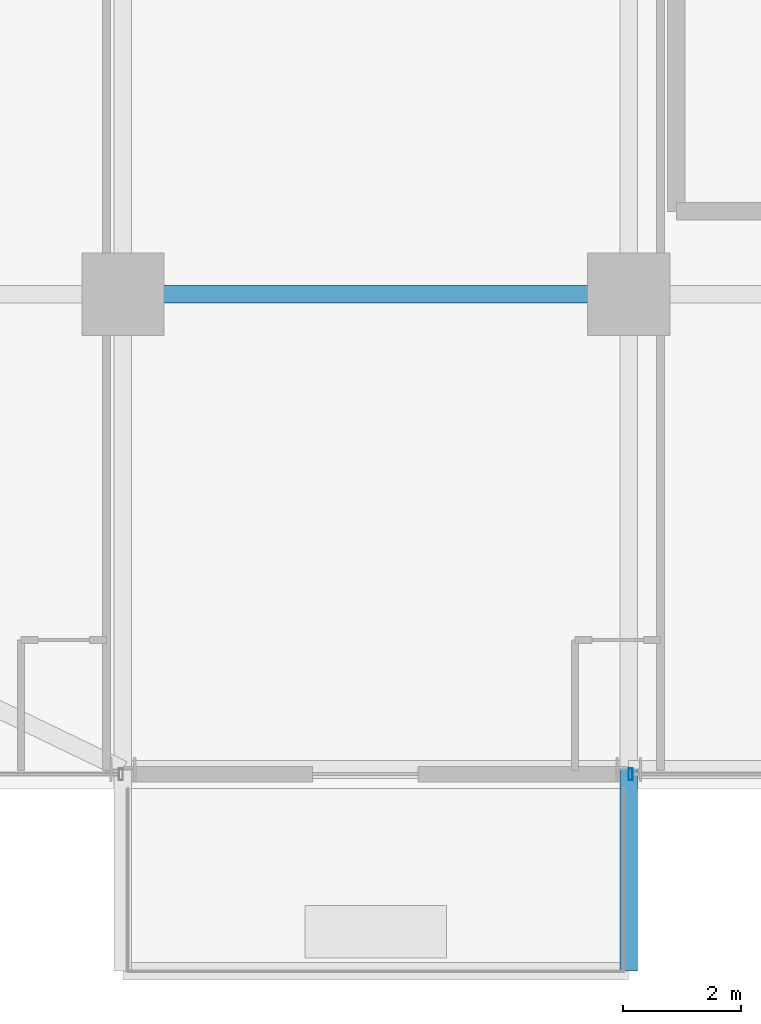
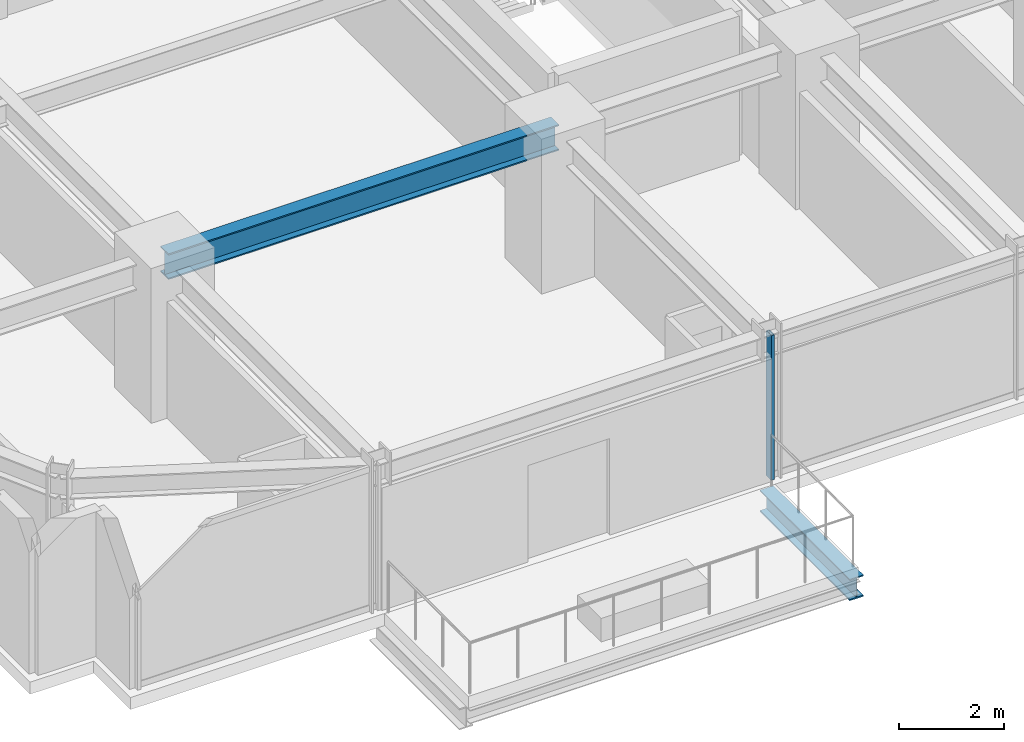
# One storey, part 5 of 35: 2 beams, 1 member, 1 element without a shape of its own.
"""IFC4 building model written with IfcOpenShell, lengths in metres."""

import ifcopenshell
import ifcopenshell.guid

model = None  # the IFC model being written
_history = None  # IfcOwnerHistory: only IFC2X3 demands one
_inside = {}  # id of a spatial element -> (the spatial element, [elements in it])
_under = {}  # id of a project, library or spatial element -> (it, [spatial elements below it])
_declared = {}  # id of a project -> (the project, [libraries it declares])
_typed = {}  # id of a type object -> (the type object, [elements of that type])
_made_of = {}  # id of a material, layer set ... -> (it, [elements and type objects made of it])


def new_model(schema):
    """Start an empty IFC model of exactly this schema.

    Asked for "IFC4X3", IfcOpenShell would pick the latest addendum, in which some entities
    have other attributes; the version numbers below select the first issue.
    IFC2X3 requires an IfcOwnerHistory on every rooted entity: one is made here for all.
    """
    global model, _history
    if schema == "IFC4X3":
        model = ifcopenshell.file(schema_version=(4, 3, 0, 0))
    else:
        model = ifcopenshell.file(schema=schema)
    _inside.clear()
    _under.clear()
    _declared.clear()
    _typed.clear()
    _made_of.clear()
    _history = None
    if model.schema == "IFC2X3":
        org = make("IfcOrganization", Name="unknown")
        user = make(
            "IfcPersonAndOrganization",
            ThePerson=make("IfcPerson", FamilyName="unknown"),
            TheOrganization=org,
        )
        app = make(
            "IfcApplication",
            ApplicationDeveloper=org,
            Version="unknown",
            ApplicationFullName="unknown",
            ApplicationIdentifier="unknown",
        )
        _history = make(
            "IfcOwnerHistory",
            OwningUser=user,
            OwningApplication=app,
            ChangeAction="ADDED",
            CreationDate=0,
        )
    return model


def make(cls, **values):
    """One entity of the class cls with the attributes given. An attribute that is None is left unset."""
    return model.create_entity(
        cls, **{name: value for name, value in values.items() if value is not None}
    )


def rooted(cls, **values):
    """An entity with a GlobalId (a new one), such as an element, a storey or a relation."""
    return make(cls, GlobalId=ifcopenshell.guid.new(), OwnerHistory=_history, **values)


def si_unit(unit_type, name, prefix=None):
    """IfcSIUnit, for example si_unit("LENGTHUNIT", "METRE", prefix="MILLI")."""
    return make("IfcSIUnit", UnitType=unit_type, Prefix=prefix, Name=name)


def assignment(units):
    """IfcUnitAssignment: the units of a project."""
    return None if units is None else make("IfcUnitAssignment", Units=units)


def point(xyz):
    """IfcCartesianPoint."""
    return None if xyz is None else make("IfcCartesianPoint", Coordinates=xyz)


def direction(xyz):
    """IfcDirection."""
    return None if xyz is None else make("IfcDirection", DirectionRatios=xyz)


def frame(location, z_axis=None, x_axis=None):
    """IfcAxis2Placement3D, a coordinate frame: its origin and axes. An axis left out is left unset."""
    return make(
        "IfcAxis2Placement3D",
        Location=point(location),
        Axis=direction(z_axis),
        RefDirection=direction(x_axis),
    )


def frame_2d(location, x_axis=None):
    """IfcAxis2Placement2D, a coordinate frame in the plane: its origin and x axis."""
    return make(
        "IfcAxis2Placement2D", Location=point(location), RefDirection=direction(x_axis)
    )


def origin():
    """The frame at (0, 0, 0) with its axes left unset."""
    return frame((0.0, 0.0, 0.0))


def origin_2d():
    """The frame at (0, 0) in the plane with its x axis left unset."""
    return frame_2d((0.0, 0.0))


def place(relative_to, where):
    """IfcLocalPlacement: puts the frame where relative to a parent placement (None: the world)."""
    return make(
        "IfcLocalPlacement", PlacementRelTo=relative_to, RelativePlacement=where
    )


def context(
    kind, dimensions, precision=None, world=None, true_north=None, identifier=None
):
    """IfcGeometricRepresentationContext, for example the 3D "Model" context."""
    return make(
        "IfcGeometricRepresentationContext",
        ContextIdentifier=identifier,
        ContextType=kind,
        CoordinateSpaceDimension=dimensions,
        Precision=precision,
        WorldCoordinateSystem=world,
        TrueNorth=true_north,
    )


def subcontext(parent, identifier, kind, view, scale=None):
    """IfcGeometricRepresentationSubContext, for example "Body" below "Model"."""
    return make(
        "IfcGeometricRepresentationSubContext",
        ContextIdentifier=identifier,
        ContextType=kind,
        ParentContext=parent,
        TargetScale=scale,
        TargetView=view,
    )


def project(units=None, contexts=None):
    """IfcProject with its units and contexts."""
    return rooted(
        "IfcProject",
        Name="project",
        RepresentationContexts=contexts,
        UnitsInContext=assignment(units),
    )


def spatial(cls, under=None, at=None, **own):
    """A site, building, storey or space (cls), placed at a placement, below another one or the project."""
    s = rooted(cls, ObjectPlacement=at, **own)
    if under is not None:
        _under.setdefault(under.id(), (under, []))[1].append(s)
    return s


def profile(cls, at=None, kind="AREA", **sizes):
    """A parametric profile (cls). Its sizes go by their IFC names, for example OverallWidth=200.0."""
    return make(cls, ProfileType=kind, Position=at, **sizes)


def hollow_rectangle(**sizes):
    """IfcRectangleHollowProfileDef."""
    return profile("IfcRectangleHollowProfileDef", **sizes)


def i_section(**sizes):
    """IfcIShapeProfileDef."""
    return profile("IfcIShapeProfileDef", **sizes)


def extrude(swept, where, along, depth):
    """IfcExtrudedAreaSolid: the profile swept, set in the frame where, extruded along a direction by depth."""
    return make(
        "IfcExtrudedAreaSolid",
        SweptArea=swept,
        Position=where,
        ExtrudedDirection=direction(along),
        Depth=depth,
    )


def shape(context_of_items, identifier, shape_type, items):
    """IfcShapeRepresentation: the items that make up one representation, for example the "Body"."""
    return make(
        "IfcShapeRepresentation",
        ContextOfItems=context_of_items,
        RepresentationIdentifier=identifier,
        RepresentationType=shape_type,
        Items=items,
    )


def source(mapping_origin, context_of_items, identifier, shape_type, items):
    """IfcRepresentationMap: a shape defined once, which mapped items show again and again."""
    return make(
        "IfcRepresentationMap",
        MappingOrigin=mapping_origin,
        MappedRepresentation=shape(context_of_items, identifier, shape_type, items),
    )


def transform(
    local_origin,
    x_axis=None,
    y_axis=None,
    z_axis=None,
    scale=None,
    scale2=None,
    scale3=None,
    uniform=True,
):
    """IfcCartesianTransformationOperator3D, or its non-uniform kind. x_axis, y_axis, z_axis: its Axis1, 2, 3."""
    if uniform:
        return make(
            "IfcCartesianTransformationOperator3D",
            Axis1=direction(x_axis),
            Axis2=direction(y_axis),
            LocalOrigin=point(local_origin),
            Scale=scale,
            Axis3=direction(z_axis),
        )
    return make(
        "IfcCartesianTransformationOperator3DnonUniform",
        Axis1=direction(x_axis),
        Axis2=direction(y_axis),
        LocalOrigin=point(local_origin),
        Scale=scale,
        Axis3=direction(z_axis),
        Scale2=scale2,
        Scale3=scale3,
    )


def mapped(mapping_source, mapping_target):
    """IfcMappedItem: shows the shape of a source again, moved by a transform."""
    return make(
        "IfcMappedItem", MappingSource=mapping_source, MappingTarget=mapping_target
    )


def material(Name=None, Category=None):
    """IfcMaterial."""
    return make("IfcMaterial", Name=Name, Category=Category)


def material_profile(
    of_material, cross_section, Name=None, Category=None, Priority=None
):
    """IfcMaterialProfile: a cross section and its material."""
    return make(
        "IfcMaterialProfile",
        Name=Name,
        Material=of_material,
        Profile=cross_section,
        Priority=Priority,
        Category=Category,
    )


def profile_set(profiles, Name=None, composite=None):
    """IfcMaterialProfileSet."""
    return make(
        "IfcMaterialProfileSet",
        Name=Name,
        MaterialProfiles=profiles,
        CompositeProfile=composite,
    )


def made_of(thing, what):
    """Note that an element or type object is made of a material, layer set ...; save() writes the relation."""
    if what is not None:
        _made_of.setdefault(what.id(), (what, []))[1].append(thing)
    return thing


def type_object(cls, material=None, **own):
    """A type object (cls), such as IfcWallType, which elements share."""
    return made_of(rooted(cls, **own), material)


def element(
    cls,
    number,
    at=None,
    inside=None,
    cuts=None,
    type_object=None,
    material=None,
    context=None,
    identifier="Body",
    shape_type=None,
    held_by="IfcProductDefinitionShape",
    body=None,
    shapes=None,
    **own,
):
    """One element of the class cls, such as IfcWall. Its Tag is "e" and its number.

    at: its placement. inside: the storey or other place that contains it. cuts: it is an
    opening in that element (IfcRelVoidsElement). A single representation is given by context,
    identifier, shape_type and body (its items); several are given by shapes. held_by: the class
    of the entity that holds the representations. save() writes the other relations.
    """
    e = rooted(cls, Tag="e%d" % number, ObjectPlacement=at, **own)
    if body is not None:
        shapes = [shape(context, identifier, shape_type, body)]
    if shapes is not None:
        e.Representation = make(held_by, Representations=shapes)
    if inside is not None:
        _inside.setdefault(inside.id(), (inside, []))[1].append(e)
    if cuts is not None:
        rooted(
            "IfcRelVoidsElement", RelatingBuildingElement=cuts, RelatedOpeningElement=e
        )
    if type_object is not None:
        _typed.setdefault(type_object.id(), (type_object, []))[1].append(e)
    return made_of(e, material)


def aggregate(whole, parts):
    """IfcRelAggregates: a whole, such as a stair, and the parts it consists of."""
    return rooted("IfcRelAggregates", RelatingObject=whole, RelatedObjects=parts)


def save(model, path):
    """Write the relations noted so far, then the file.

    IfcRelAggregates (storeys below a building ...), IfcRelContainedInSpatialStructure (elements
    in a storey), IfcRelDefinesByType, IfcRelAssociatesMaterial and IfcRelDeclares: one each for
    every whole, place, type object, material and project.
    """
    for whole, parts in _under.values():
        aggregate(whole, parts)
    for where, things in _inside.values():
        rooted(
            "IfcRelContainedInSpatialStructure",
            RelatedElements=things,
            RelatingStructure=where,
        )
    for kind, things in _typed.values():
        rooted("IfcRelDefinesByType", RelatedObjects=things, RelatingType=kind)
    for what, things in _made_of.values():
        rooted("IfcRelAssociatesMaterial", RelatedObjects=things, RelatingMaterial=what)
    for by, libraries in _declared.values():
        rooted("IfcRelDeclares", RelatingContext=by, RelatedDefinitions=libraries)
    model.write(path)


model = new_model("IFC4")

# Units and contexts
model_context = context("Model", 3, precision=1e-05, world=origin(), true_north=direction((0.0, 1.0)))
body_context = subcontext(model_context, "Body", "Model", "MODEL_VIEW")
ifc_project = project(units=[si_unit("LENGTHUNIT", "METRE"), si_unit("AREAUNIT", "SQUARE_METRE"), si_unit("VOLUMEUNIT", "CUBIC_METRE"), si_unit("PLANEANGLEUNIT", "RADIAN"), si_unit("MASSUNIT", "GRAM", prefix="KILO")], contexts=[model_context])

# Site, building, storey
site_placement = place(None, origin())
site = spatial("IfcSite", under=ifc_project, at=site_placement, CompositionType="ELEMENT")
building_placement = place(site_placement, origin())
building = spatial("IfcBuilding", under=site, at=building_placement, Name="Nahalor Promenade Grand Hotel", CompositionType="ELEMENT")
storey_placement = place(building_placement, frame((0.0, 0.0, 43.35009765625)))
storey = spatial("IfcBuildingStorey", under=building, at=storey_placement, Name="L09", CompositionType="ELEMENT", Elevation=43.35009765625)

# Beams
ifc_material_1 = material(Name="Steel S355JR", Category="steel")
ifc_material_profile_1 = material_profile(ifc_material_1, i_section(OverallWidth=0.3, OverallDepth=0.5, WebThickness=0.0145, FlangeThickness=0.028, at=origin_2d()), Name="HEB 500")
ifc_profile_set_1 = profile_set([ifc_material_profile_1], Name="Steel S355JR")
beam_type_1 = type_object("IfcBeamType", Name="Beam-Outrigger-HEB500", PredefinedType="BEAM", material=ifc_profile_set_1)
shared_shape_1 = source(origin(), body_context, "Body", "SweptSolid", [
    extrude(i_section(OverallWidth=0.3, OverallDepth=0.5, WebThickness=0.0145, FlangeThickness=0.028, at=origin_2d()), origin(), (0.0, 0.0, 1.0), 3.429931640625),
])
beam_1_placement = place(storey_placement, frame((-8.39990234375, -28.510009765625, -0.530029296875), z_axis=(0.0, 1.0, 0.0), x_axis=(-1.0, 0.0, 0.0)))
element("IfcBeam", 1, at=beam_1_placement, inside=storey, type_object=beam_type_1, Name="BM-L09-BC-01-2", PredefinedType="BEAM", context=body_context, shape_type="MappedRepresentation", body=[
    mapped(shared_shape_1, transform((0.0, 0.0, 0.0), scale=1.0)),
])
ifc_material_profile_2 = material_profile(ifc_material_1, i_section(OverallWidth=0.3, OverallDepth=0.6, WebThickness=0.0155, FlangeThickness=0.03, at=origin_2d()), Name="HEB 600")
ifc_profile_set_2 = profile_set([ifc_material_profile_2], Name="Steel S355JR")
beam_type_2 = type_object("IfcBeamType", Name="Beam-Girder-HEB600", PredefinedType="BEAM", material=ifc_profile_set_2)
shared_shape_2 = source(origin(), body_context, "Body", "SweptSolid", [
    extrude(i_section(OverallWidth=0.3, OverallDepth=0.6, WebThickness=0.0155, FlangeThickness=0.03, at=origin_2d()), origin(), (0.0, 0.0, 1.0), 8.60009765625),
])
beam_2_placement = place(storey_placement, frame((-17.0, -17.0, 3.06982421875), z_axis=(1.0, 0.0, 0.0), x_axis=(0.0, 1.0, 0.0)))
element("IfcBeam", 2, at=beam_2_placement, inside=storey, type_object=beam_type_2, Name="BM-L09-GX-0-1", PredefinedType="BEAM", context=body_context, shape_type="MappedRepresentation", body=[
    mapped(shared_shape_2, transform((0.0, 0.0, 0.0), scale=1.0)),
])

# Curtain wall, member
ifc_material_2 = material(Name="Anodised Bronze Aluminium EN AW-6063 T6", Category="aluminium")
curtain_wall_type = type_object("IfcCurtainWallType", Name="CW3 Elliptical-Void Collar Unitised Curtain Wall", PredefinedType="USERDEFINED", material=ifc_material_2)
curtain_wall_placement = place(storey_placement, origin())
curtain_wall = element("IfcCurtainWall", 3, at=curtain_wall_placement, inside=storey, type_object=curtain_wall_type, Name="L09 Curtain Wall CW-L09-S-3", ObjectType="UNITISED_CURTAIN_WALL", PredefinedType="USERDEFINED")
ifc_material_profile_3 = material_profile(ifc_material_2, hollow_rectangle(XDim=0.07, YDim=0.2, WallThickness=0.005, at=origin_2d()), Name="CWM 70x200x5")
ifc_profile_set_3 = profile_set([ifc_material_profile_3], Name="Anodised Bronze Aluminium EN AW-6063 T6")
member_type = type_object("IfcMemberType", Name="CWM3 Void Collar Mullion 70x200", PredefinedType="MULLION", material=ifc_profile_set_3)
shared_shape_3 = source(origin(), body_context, "Body", "SweptSolid", [
    extrude(hollow_rectangle(XDim=0.07, YDim=0.2, WallThickness=0.005, at=origin_2d()), origin(), (0.0, 0.0, 1.0), 3.369873046875),
])
member_placement = place(storey_placement, frame((-8.364990234375, -25.159912109375, 0.0), z_axis=(0.0, 0.0, 1.0), x_axis=(1.0, 0.0, 0.0)))
member = element("IfcMember", 4, at=member_placement, type_object=member_type, Name="CW-L09-S-3 Mullion 0", PredefinedType="MULLION", context=body_context, shape_type="MappedRepresentation", body=[
    mapped(shared_shape_3, transform((0.0, 0.0, 0.0), scale=1.0)),
])
aggregate(curtain_wall, [member])

save(model, "model.ifc")
